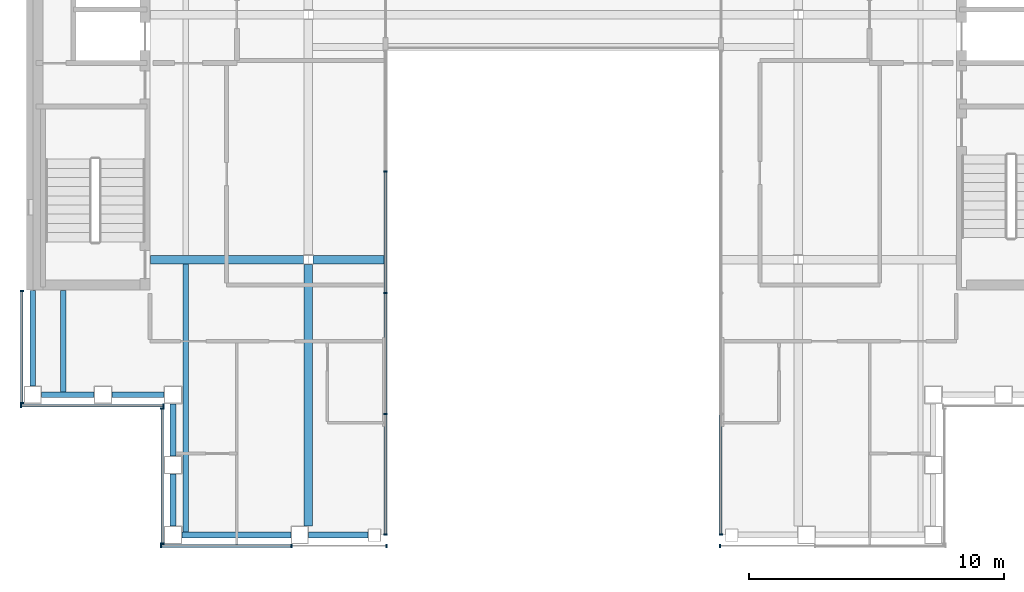
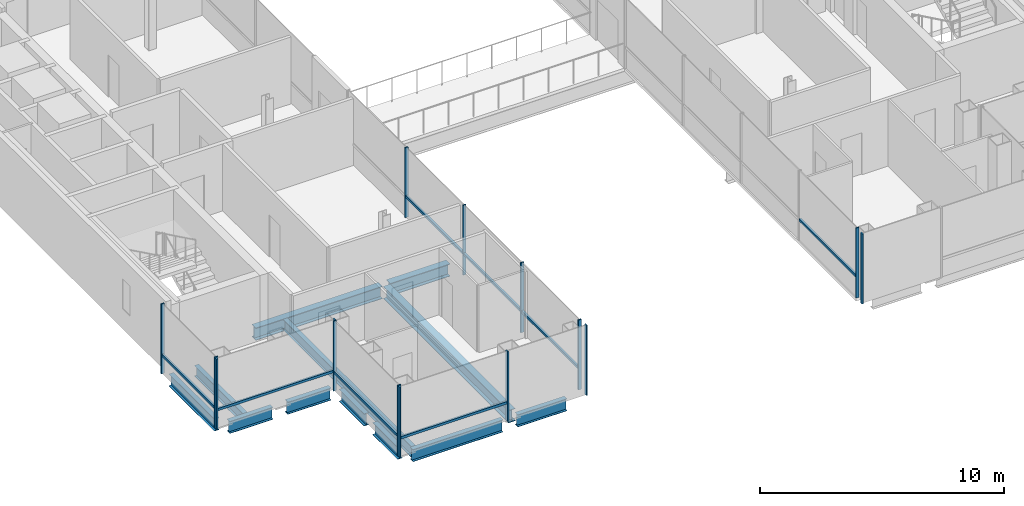
# One storey, part 3 of 15: 23 members, 12 beams, 7 elements without a shape of their own.
"""IFC4 building model written with IfcOpenShell, lengths in metres."""

from ifc_helpers import new_model, si_unit, direction, frame, origin, origin_2d, place, context, subcontext, project, spatial, rectangle, i_section, extrude, material, material_profile, profile_set, type_object, element, aggregate, save


model = new_model("IFC4")

# Units and contexts
model_context = context("Model", 3, precision=1e-05, world=origin(), true_north=direction((0.0, 1.0)))
body_context = subcontext(model_context, "Body", "Model", "MODEL_VIEW")
ifc_project = project(units=[si_unit("LENGTHUNIT", "METRE"), si_unit("AREAUNIT", "SQUARE_METRE"), si_unit("VOLUMEUNIT", "CUBIC_METRE"), si_unit("PLANEANGLEUNIT", "RADIAN"), si_unit("MASSUNIT", "GRAM", prefix="KILO")], contexts=[model_context])

# Site, building, storey
site_placement = place(None, origin())
site = spatial("IfcSite", under=ifc_project, at=site_placement, CompositionType="ELEMENT")
building_placement = place(site_placement, origin())
building = spatial("IfcBuilding", under=site, at=building_placement, Name="Cobrizo Arcos Hotel Tower", CompositionType="ELEMENT")
storey_placement = place(building_placement, frame((0.0, 0.0, 222.5)))
storey = spatial("IfcBuildingStorey", under=building, at=storey_placement, Name="L58", CompositionType="ELEMENT", Elevation=222.5)

# Curtain wall, members
ifc_material_1 = material(Name="Aluminium 6063-T6 anodised bronze", Category="aluminium")
curtain_wall_type_1 = type_object("IfcCurtainWallType", Name="CW-A guest facade", PredefinedType="NOTDEFINED", material=ifc_material_1)
curtain_wall_1_placement = place(storey_placement, origin())
curtain_wall_1 = element("IfcCurtainWall", 1, at=curtain_wall_1_placement, inside=storey, type_object=curtain_wall_type_1, Name="CW-A L58 S face", PredefinedType="NOTDEFINED")
ifc_material_profile_1 = material_profile(ifc_material_1, rectangle(XDim=0.14990234375, YDim=0.06005859375, at=origin_2d()), Name="CW-A mullion 150x60")
ifc_profile_set_1 = profile_set([ifc_material_profile_1], Name="Aluminium 6063-T6 anodised bronze")
member_type_1 = type_object("IfcMemberType", Name="CW-A mullion 150x60", PredefinedType="MULLION", material=ifc_profile_set_1)
member_1_placement = place(storey_placement, frame((-15.3701171875, -20.824951171875, 0.0), z_axis=(0.0, 0.0, 1.0), x_axis=(0.0, -1.0, 0.0)))
member_1 = element("IfcMember", 2, at=member_1_placement, type_object=member_type_1, Name="CW-A mullion 1", PredefinedType="MULLION", context=body_context, shape_type="SweptSolid", body=[
    extrude(rectangle(XDim=0.14990234375, YDim=0.06005859375, at=origin_2d()), origin(), (0.0, 0.0, 1.0), 3.5),
])
member_2_placement = place(storey_placement, frame((-10.2666015625, -20.824951171875, 0.0), z_axis=(0.0, 0.0, 1.0), x_axis=(0.0, -1.0, 0.0)))
member_2 = element("IfcMember", 3, at=member_2_placement, type_object=member_type_1, Name="CW-A mullion 2", PredefinedType="MULLION", context=body_context, shape_type="SweptSolid", body=[
    extrude(rectangle(XDim=0.14990234375, YDim=0.06005859375, at=origin_2d()), origin(), (0.0, 0.0, 1.0), 3.5),
])
member_3_placement = place(storey_placement, frame((-6.530029296875, -20.824951171875, 0.0), z_axis=(0.0, 0.0, 1.0), x_axis=(0.0, -1.0, 0.0)))
member_3 = element("IfcMember", 4, at=member_3_placement, type_object=member_type_1, Name="CW-A mullion 3", PredefinedType="MULLION", context=body_context, shape_type="SweptSolid", body=[
    extrude(rectangle(XDim=0.14990234375, YDim=0.06005859375, at=origin_2d()), origin(), (0.0, 0.0, 1.0), 3.5),
])

# Curtain wall, member
curtain_wall_2_placement = place(storey_placement, origin())
curtain_wall_2 = element("IfcCurtainWall", 5, at=curtain_wall_2_placement, inside=storey, type_object=curtain_wall_type_1, Name="CW-A L58 S face", PredefinedType="NOTDEFINED")
member_4_placement = place(storey_placement, frame((6.530029296875, -20.824951171875, 0.0), z_axis=(0.0, 0.0, 1.0), x_axis=(0.0, -1.0, 0.0)))
member_4 = element("IfcMember", 6, at=member_4_placement, type_object=member_type_1, Name="CW-A mullion 1", PredefinedType="MULLION", context=body_context, shape_type="SweptSolid", body=[
    extrude(rectangle(XDim=0.14990234375, YDim=0.06005859375, at=origin_2d()), origin(), (0.0, 0.0, 1.0), 3.5),
])
aggregate(curtain_wall_2, [member_4])

# Curtain wall, members
curtain_wall_3_placement = place(storey_placement, origin())
curtain_wall_3 = element("IfcCurtainWall", 7, at=curtain_wall_3_placement, inside=storey, type_object=curtain_wall_type_1, Name="CW-A L58 W face", PredefinedType="NOTDEFINED")
member_5_placement = place(storey_placement, frame((-20.824951171875, -10.830078125, 0.0), z_axis=(0.0, 0.0, 1.0), x_axis=(-1.0, 0.0, 0.0)))
member_5 = element("IfcMember", 8, at=member_5_placement, type_object=member_type_1, Name="CW-A mullion 1", PredefinedType="MULLION", context=body_context, shape_type="SweptSolid", body=[
    extrude(rectangle(XDim=0.14990234375, YDim=0.06005859375, at=origin_2d()), origin(), (0.0, 0.0, 1.0), 3.5),
])
member_6_placement = place(storey_placement, frame((-20.824951171875, -15.219970703125, 0.0), z_axis=(0.0, 0.0, 1.0), x_axis=(-1.0, 0.0, 0.0)))
member_6 = element("IfcMember", 9, at=member_6_placement, type_object=member_type_1, Name="CW-A mullion 2", PredefinedType="MULLION", context=body_context, shape_type="SweptSolid", body=[
    extrude(rectangle(XDim=0.14990234375, YDim=0.06005859375, at=origin_2d()), origin(), (0.0, 0.0, 1.0), 3.5),
])

curtain_wall_4_placement = place(storey_placement, origin())
curtain_wall_4 = element("IfcCurtainWall", 10, at=curtain_wall_4_placement, inside=storey, type_object=curtain_wall_type_1, Name="CW-A L58 S face", PredefinedType="NOTDEFINED")
member_7_placement = place(storey_placement, frame((-20.8701171875, -15.324951171875, 0.0), z_axis=(0.0, 0.0, 1.0), x_axis=(0.0, -1.0, 0.0)))
member_7 = element("IfcMember", 11, at=member_7_placement, type_object=member_type_1, Name="CW-A mullion 1", PredefinedType="MULLION", context=body_context, shape_type="SweptSolid", body=[
    extrude(rectangle(XDim=0.14990234375, YDim=0.06005859375, at=origin_2d()), origin(), (0.0, 0.0, 1.0), 3.5),
])
member_8_placement = place(storey_placement, frame((-15.280029296875, -15.324951171875, 0.0), z_axis=(0.0, 0.0, 1.0), x_axis=(0.0, -1.0, 0.0)))
member_8 = element("IfcMember", 12, at=member_8_placement, type_object=member_type_1, Name="CW-A mullion 2", PredefinedType="MULLION", context=body_context, shape_type="SweptSolid", body=[
    extrude(rectangle(XDim=0.14990234375, YDim=0.06005859375, at=origin_2d()), origin(), (0.0, 0.0, 1.0), 3.5),
])

curtain_wall_5_placement = place(storey_placement, origin())
curtain_wall_5 = element("IfcCurtainWall", 13, at=curtain_wall_5_placement, inside=storey, type_object=curtain_wall_type_1, Name="CW-A L58 W face", PredefinedType="NOTDEFINED")
member_9_placement = place(storey_placement, frame((-15.324951171875, -15.429931640625, 0.0), z_axis=(0.0, 0.0, 1.0), x_axis=(-1.0, 0.0, 0.0)))
member_9 = element("IfcMember", 14, at=member_9_placement, type_object=member_type_1, Name="CW-A mullion 1", PredefinedType="MULLION", context=body_context, shape_type="SweptSolid", body=[
    extrude(rectangle(XDim=0.14990234375, YDim=0.06005859375, at=origin_2d()), origin(), (0.0, 0.0, 1.0), 3.5),
])
member_10_placement = place(storey_placement, frame((-15.324951171875, -20.719970703125, 0.0), z_axis=(0.0, 0.0, 1.0), x_axis=(-1.0, 0.0, 0.0)))
member_10 = element("IfcMember", 15, at=member_10_placement, type_object=member_type_1, Name="CW-A mullion 2", PredefinedType="MULLION", context=body_context, shape_type="SweptSolid", body=[
    extrude(rectangle(XDim=0.14990234375, YDim=0.06005859375, at=origin_2d()), origin(), (0.0, 0.0, 1.0), 3.5),
])

# Member
ifc_material_profile_2 = material_profile(ifc_material_1, rectangle(XDim=0.10009765625, YDim=0.1201171875, at=origin_2d()), Name="CW-A transom 120x100")
ifc_profile_set_2 = profile_set([ifc_material_profile_2], Name="Aluminium 6063-T6 anodised bronze")
member_type_2 = type_object("IfcMemberType", Name="CW-A transom 120x100", PredefinedType="USERDEFINED", material=ifc_profile_set_2)
member_11_placement = place(storey_placement, frame((-15.340087890625, -20.824951171875, 0.929931640625), z_axis=(1.0, 0.0, 0.0), x_axis=(0.0, 1.0, 0.0)))
member_11 = element("IfcMember", 16, at=member_11_placement, type_object=member_type_2, Name="CW-A transom 1908", ObjectType="TRANSOM", PredefinedType="USERDEFINED", context=body_context, shape_type="SweptSolid", body=[
    extrude(rectangle(XDim=0.10009765625, YDim=0.1201171875, at=origin_2d()), origin(), (0.0, 0.0, 1.0), 5.04345703125),
])

aggregate(curtain_wall_1, [member_1, member_2, member_3, member_11])

member_12_placement = place(storey_placement, frame((-20.824951171875, -10.860107421875, 0.929931640625), z_axis=(0.0, -1.0, 0.0), x_axis=(1.0, 0.0, 0.0)))
member_12 = element("IfcMember", 17, at=member_12_placement, type_object=member_type_2, Name="CW-A transom 1925", ObjectType="TRANSOM", PredefinedType="USERDEFINED", context=body_context, shape_type="SweptSolid", body=[
    extrude(rectangle(XDim=0.10009765625, YDim=0.1201171875, at=origin_2d()), origin(), (0.0, 0.0, 1.0), 4.329833984375),
])

aggregate(curtain_wall_3, [member_5, member_6, member_12])

member_13_placement = place(storey_placement, frame((-20.840087890625, -15.324951171875, 0.929931640625), z_axis=(1.0, 0.0, 0.0), x_axis=(0.0, 1.0, 0.0)))
member_13 = element("IfcMember", 18, at=member_13_placement, type_object=member_type_2, Name="CW-A transom 1926", ObjectType="TRANSOM", PredefinedType="USERDEFINED", context=body_context, shape_type="SweptSolid", body=[
    extrude(rectangle(XDim=0.10009765625, YDim=0.1201171875, at=origin_2d()), origin(), (0.0, 0.0, 1.0), 5.530029296875),
])

aggregate(curtain_wall_4, [member_7, member_8, member_13])

member_14_placement = place(storey_placement, frame((-15.324951171875, -15.4599609375, 0.929931640625), z_axis=(0.0, -1.0, 0.0), x_axis=(1.0, 0.0, 0.0)))
member_14 = element("IfcMember", 19, at=member_14_placement, type_object=member_type_2, Name="CW-A transom 1927", ObjectType="TRANSOM", PredefinedType="USERDEFINED", context=body_context, shape_type="SweptSolid", body=[
    extrude(rectangle(XDim=0.10009765625, YDim=0.1201171875, at=origin_2d()), origin(), (0.0, 0.0, 1.0), 5.22998046875),
])

aggregate(curtain_wall_5, [member_9, member_10, member_14])

# Curtain wall, member
curtain_wall_type_2 = type_object("IfcCurtainWallType", Name="CW-F void screen", PredefinedType="NOTDEFINED", material=ifc_material_1)
curtain_wall_6_placement = place(storey_placement, origin())
curtain_wall_6 = element("IfcCurtainWall", 20, at=curtain_wall_6_placement, inside=storey, type_object=curtain_wall_type_2, Name="CW-F L58 void screen C", PredefinedType="NOTDEFINED")
ifc_material_profile_3 = material_profile(ifc_material_1, rectangle(XDim=0.14990234375, YDim=0.06005859375, at=origin_2d()), Name="CW-F mullion 150x60")
ifc_profile_set_3 = profile_set([ifc_material_profile_3], Name="Aluminium 6063-T6 anodised bronze")
member_type_3 = type_object("IfcMemberType", Name="CW-F mullion 150x60", PredefinedType="MULLION", material=ifc_profile_set_3)
member_15_placement = place(storey_placement, frame((6.574951171875, -20.3701171875, 0.0), z_axis=(0.0, 0.0, 1.0), x_axis=(1.0, 0.0, 0.0)))
member_15 = element("IfcMember", 21, at=member_15_placement, type_object=member_type_3, Name="CW-F mullion 1", PredefinedType="MULLION", context=body_context, shape_type="SweptSolid", body=[
    extrude(rectangle(XDim=0.14990234375, YDim=0.06005859375, at=origin_2d()), origin(), (0.0, 0.0, 1.0), 3.5),
])

# Curtain wall, members
curtain_wall_7_placement = place(storey_placement, origin())
curtain_wall_7 = element("IfcCurtainWall", 22, at=curtain_wall_7_placement, inside=storey, type_object=curtain_wall_type_2, Name="CW-F L58 void screen C", PredefinedType="NOTDEFINED")
member_16_placement = place(storey_placement, frame((-6.574951171875, -6.14990234375, 0.0), z_axis=(0.0, 0.0, 1.0), x_axis=(-1.0, 0.0, 0.0)))
member_16 = element("IfcMember", 23, at=member_16_placement, type_object=member_type_3, Name="CW-F mullion 2", PredefinedType="MULLION", context=body_context, shape_type="SweptSolid", body=[
    extrude(rectangle(XDim=0.14990234375, YDim=0.06005859375, at=origin_2d()), origin(), (0.0, 0.0, 1.0), 3.5),
])
member_17_placement = place(storey_placement, frame((-6.574951171875, -10.89990234375, 0.0), z_axis=(0.0, 0.0, 1.0), x_axis=(-1.0, 0.0, 0.0)))
member_17 = element("IfcMember", 24, at=member_17_placement, type_object=member_type_3, Name="CW-F mullion 3", PredefinedType="MULLION", context=body_context, shape_type="SweptSolid", body=[
    extrude(rectangle(XDim=0.14990234375, YDim=0.06005859375, at=origin_2d()), origin(), (0.0, 0.0, 1.0), 3.5),
])
member_18_placement = place(storey_placement, frame((-6.574951171875, -15.64990234375, 0.0), z_axis=(0.0, 0.0, 1.0), x_axis=(-1.0, 0.0, 0.0)))
member_18 = element("IfcMember", 25, at=member_18_placement, type_object=member_type_3, Name="CW-F mullion 4", PredefinedType="MULLION", context=body_context, shape_type="SweptSolid", body=[
    extrude(rectangle(XDim=0.14990234375, YDim=0.06005859375, at=origin_2d()), origin(), (0.0, 0.0, 1.0), 3.5),
])
member_19_placement = place(storey_placement, frame((-6.574951171875, -20.3701171875, 0.0), z_axis=(0.0, 0.0, 1.0), x_axis=(-1.0, 0.0, 0.0)))
member_19 = element("IfcMember", 26, at=member_19_placement, type_object=member_type_3, Name="CW-F mullion 5", PredefinedType="MULLION", context=body_context, shape_type="SweptSolid", body=[
    extrude(rectangle(XDim=0.14990234375, YDim=0.06005859375, at=origin_2d()), origin(), (0.0, 0.0, 1.0), 3.5),
])

# Member
ifc_material_profile_4 = material_profile(ifc_material_1, rectangle(XDim=0.10009765625, YDim=0.1201171875, at=origin_2d()), Name="CW-F transom 120x100")
ifc_profile_set_4 = profile_set([ifc_material_profile_4], Name="Aluminium 6063-T6 anodised bronze")
member_type_4 = type_object("IfcMemberType", Name="CW-F transom 120x100", PredefinedType="USERDEFINED", material=ifc_profile_set_4)
member_20_placement = place(storey_placement, frame((6.574951171875, -20.340087890625, 1.050048828125), z_axis=(0.0, 1.0, 0.0), x_axis=(-1.0, 0.0, 0.0)))
member_20 = element("IfcMember", 27, at=member_20_placement, type_object=member_type_4, Name="CW-F transom 2700", ObjectType="TRANSOM", PredefinedType="USERDEFINED", context=body_context, shape_type="SweptSolid", body=[
    extrude(rectangle(XDim=0.10009765625, YDim=0.1201171875, at=origin_2d()), origin(), (0.0, 0.0, 1.0), 4.66015625),
])

aggregate(curtain_wall_6, [member_15, member_20])

member_21_placement = place(storey_placement, frame((-6.574951171875, -6.179931640625, 1.050048828125), z_axis=(0.0, -1.0, 0.0), x_axis=(1.0, 0.0, 0.0)))
member_21 = element("IfcMember", 28, at=member_21_placement, type_object=member_type_4, Name="CW-F transom 2713", ObjectType="TRANSOM", PredefinedType="USERDEFINED", context=body_context, shape_type="SweptSolid", body=[
    extrude(rectangle(XDim=0.10009765625, YDim=0.1201171875, at=origin_2d()), origin(), (0.0, 0.0, 1.0), 4.690185546875),
])

member_22_placement = place(storey_placement, frame((-6.574951171875, -10.929931640625, 1.050048828125), z_axis=(0.0, -1.0, 0.0), x_axis=(1.0, 0.0, 0.0)))
member_22 = element("IfcMember", 29, at=member_22_placement, type_object=member_type_4, Name="CW-F transom 2714", ObjectType="TRANSOM", PredefinedType="USERDEFINED", context=body_context, shape_type="SweptSolid", body=[
    extrude(rectangle(XDim=0.10009765625, YDim=0.1201171875, at=origin_2d()), origin(), (0.0, 0.0, 1.0), 4.690185546875),
])

member_23_placement = place(storey_placement, frame((-6.574951171875, -15.679931640625, 1.050048828125), z_axis=(0.0, -1.0, 0.0), x_axis=(1.0, 0.0, 0.0)))
member_23 = element("IfcMember", 30, at=member_23_placement, type_object=member_type_4, Name="CW-F transom 2715", ObjectType="TRANSOM", PredefinedType="USERDEFINED", context=body_context, shape_type="SweptSolid", body=[
    extrude(rectangle(XDim=0.10009765625, YDim=0.1201171875, at=origin_2d()), origin(), (0.0, 0.0, 1.0), 4.66015625),
])

aggregate(curtain_wall_7, [member_16, member_17, member_18, member_19, member_21, member_22, member_23])

# Beams
ifc_material_2 = material(Name="Steel ASTM A992 Grade 50", Category="steel")
ifc_material_profile_5 = material_profile(ifc_material_2, i_section(OverallWidth=0.209228515625, OverallDepth=0.533447265625, WebThickness=0.01025390625, FlangeThickness=0.015625, at=origin_2d()), Name="W21X62")
ifc_profile_set_5 = profile_set([ifc_material_profile_5], Name="Steel ASTM A992 Grade 50")
beam_type_1 = type_object("IfcBeamType", Name="W21X62 joist", PredefinedType="JOIST", material=ifc_profile_set_5)
beam_1_placement = place(storey_placement, frame((-19.199951171875, -14.81005859375, -0.416748046875), z_axis=(0.0, 1.0, 0.0), x_axis=(-1.0, 0.0, 0.0)))
element("IfcBeam", 31, at=beam_1_placement, inside=storey, type_object=beam_type_1, Name="Floor joist J1, L58, no. 001", PredefinedType="JOIST", context=body_context, shape_type="SweptSolid", body=[
    extrude(i_section(OverallWidth=0.209228515625, OverallDepth=0.533447265625, WebThickness=0.01025390625, FlangeThickness=0.015625, at=origin_2d()), origin(), (0.0, 0.0, 1.0), 4.0),
])
beam_2_placement = place(storey_placement, frame((-14.39990234375, -20.31005859375, -0.416748046875), z_axis=(0.0, 1.0, 0.0), x_axis=(-1.0, 0.0, 0.0)))
element("IfcBeam", 32, at=beam_2_placement, inside=storey, type_object=beam_type_1, Name="Floor joist J1, L58, no. 003", PredefinedType="JOIST", context=body_context, shape_type="SweptSolid", body=[
    extrude(i_section(OverallWidth=0.209228515625, OverallDepth=0.533447265625, WebThickness=0.01025390625, FlangeThickness=0.015625, at=origin_2d()), origin(), (0.0, 0.0, 1.0), 10.546142578125),
])
ifc_material_profile_6 = material_profile(ifc_material_2, i_section(OverallWidth=0.32763671875, OverallDepth=0.622314453125, WebThickness=0.015380859375, FlangeThickness=0.0244140625, at=origin_2d()), Name="W24X131")
ifc_profile_set_6 = profile_set([ifc_material_profile_6], Name="Steel ASTM A992 Grade 50")
beam_type_2 = type_object("IfcBeamType", Name="W24X131 girder", PredefinedType="BEAM", material=ifc_profile_set_6)
beam_3_placement = place(storey_placement, frame((-15.7900390625, -9.60009765625, -0.461181640625), z_axis=(1.0, 0.0, 0.0), x_axis=(0.0, 1.0, 0.0)))
element("IfcBeam", 33, at=beam_3_placement, inside=storey, type_object=beam_type_2, Name="Floor girder G1, L58, no. 001", PredefinedType="BEAM", context=body_context, shape_type="SweptSolid", body=[
    extrude(i_section(OverallWidth=0.32763671875, OverallDepth=0.622314453125, WebThickness=0.015380859375, FlangeThickness=0.0244140625, at=origin_2d()), origin(), (0.0, 0.0, 1.0), 6.00341796875),
])
beam_4_placement = place(storey_placement, frame((-9.413330078125, -9.60009765625, -0.461181640625), z_axis=(1.0, 0.0, 0.0), x_axis=(0.0, 1.0, 0.0)))
element("IfcBeam", 34, at=beam_4_placement, inside=storey, type_object=beam_type_2, Name="Floor girder G1, L58, no. 002", PredefinedType="BEAM", context=body_context, shape_type="SweptSolid", body=[
    extrude(i_section(OverallWidth=0.32763671875, OverallDepth=0.622314453125, WebThickness=0.015380859375, FlangeThickness=0.0244140625, at=origin_2d()), origin(), (0.0, 0.0, 1.0), 2.8232421875),
])
beam_5_placement = place(storey_placement, frame((-9.60009765625, -20.050048828125, -0.461181640625), z_axis=(0.0, 1.0, 0.0), x_axis=(-1.0, 0.0, 0.0)))
element("IfcBeam", 35, at=beam_5_placement, inside=storey, type_object=beam_type_2, Name="Floor girder G1, L58, no. 012", PredefinedType="BEAM", context=body_context, shape_type="SweptSolid", body=[
    extrude(i_section(OverallWidth=0.32763671875, OverallDepth=0.622314453125, WebThickness=0.015380859375, FlangeThickness=0.0244140625, at=origin_2d()), origin(), (0.0, 0.0, 1.0), 10.263427734375),
])
ifc_material_profile_7 = material_profile(ifc_material_2, i_section(OverallWidth=0.228271484375, OverallDepth=0.607177734375, WebThickness=0.01123046875, FlangeThickness=0.017333984375, at=origin_2d()), Name="W24X76")
ifc_profile_set_7 = profile_set([ifc_material_profile_7], Name="Steel ASTM A992 Grade 50")
beam_type_3 = type_object("IfcBeamType", Name="W24X76 spandrel", PredefinedType="SPANDREL", material=ifc_profile_set_7)
beam_6_placement = place(storey_placement, frame((-7.25, -20.39990234375, -0.45361328125), z_axis=(-1.0, 0.0, 0.0), x_axis=(0.0, -1.0, 0.0)))
element("IfcBeam", 36, at=beam_6_placement, inside=storey, type_object=beam_type_3, Name="Spandrel beam W24X76, L58, no. 011", PredefinedType="SPANDREL", context=body_context, shape_type="SweptSolid", body=[
    extrude(i_section(OverallWidth=0.228271484375, OverallDepth=0.607177734375, WebThickness=0.01123046875, FlangeThickness=0.017333984375, at=origin_2d()), origin(), (0.0, 0.0, 1.0), 2.3330078125),
])
beam_7_placement = place(storey_placement, frame((-10.282958984375, -20.39990234375, -0.45361328125), z_axis=(-1.0, 0.0, 0.0), x_axis=(0.0, -1.0, 0.0)))
element("IfcBeam", 37, at=beam_7_placement, inside=storey, type_object=beam_type_3, Name="Spandrel beam W24X76, L58, no. 012", PredefinedType="SPANDREL", context=body_context, shape_type="SweptSolid", body=[
    extrude(i_section(OverallWidth=0.228271484375, OverallDepth=0.607177734375, WebThickness=0.01123046875, FlangeThickness=0.017333984375, at=origin_2d()), origin(), (0.0, 0.0, 1.0), 4.26708984375),
])
for number, where, z_axis, x_axis, name in (
    (38, (-14.89990234375, -20.050048828125, -0.45361328125), (0.0, 1.0, 0.0), (-1.0, 0.0, 0.0), "Spandrel beam W24X76, L58, no. 013"),
    (39, (-14.89990234375, -17.300048828125, -0.45361328125), (0.0, 1.0, 0.0), (-1.0, 0.0, 0.0), "Spandrel beam W24X76, L58, no. 014"),
    (40, (-15.25, -14.89990234375, -0.45361328125), (-1.0, 0.0, 0.0), (0.0, -1.0, 0.0), "Spandrel beam W24X76, L58, no. 015"),
    (41, (-18.0, -14.89990234375, -0.45361328125), (-1.0, 0.0, 0.0), (0.0, -1.0, 0.0), "Spandrel beam W24X76, L58, no. 016"),
):
    element("IfcBeam", number, at=place(storey_placement, frame(where, z_axis=z_axis, x_axis=x_axis)), inside=storey, type_object=beam_type_3, Name=name, PredefinedType="SPANDREL", context=body_context, shape_type="SweptSolid", body=[
        extrude(i_section(OverallWidth=0.228271484375, OverallDepth=0.607177734375, WebThickness=0.01123046875, FlangeThickness=0.017333984375, at=origin_2d()), origin(), (0.0, 0.0, 1.0), 2.050048828125),
    ])
beam_8_placement = place(storey_placement, frame((-20.39990234375, -14.550048828125, -0.45361328125), z_axis=(0.0, 1.0, 0.0), x_axis=(-1.0, 0.0, 0.0)))
element("IfcBeam", 42, at=beam_8_placement, inside=storey, type_object=beam_type_3, Name="Spandrel beam W24X76, L58, no. 017", PredefinedType="SPANDREL", context=body_context, shape_type="SweptSolid", body=[
    extrude(i_section(OverallWidth=0.228271484375, OverallDepth=0.607177734375, WebThickness=0.01123046875, FlangeThickness=0.017333984375, at=origin_2d()), origin(), (0.0, 0.0, 1.0), 3.739990234375),
])

save(model, "model.ifc")
